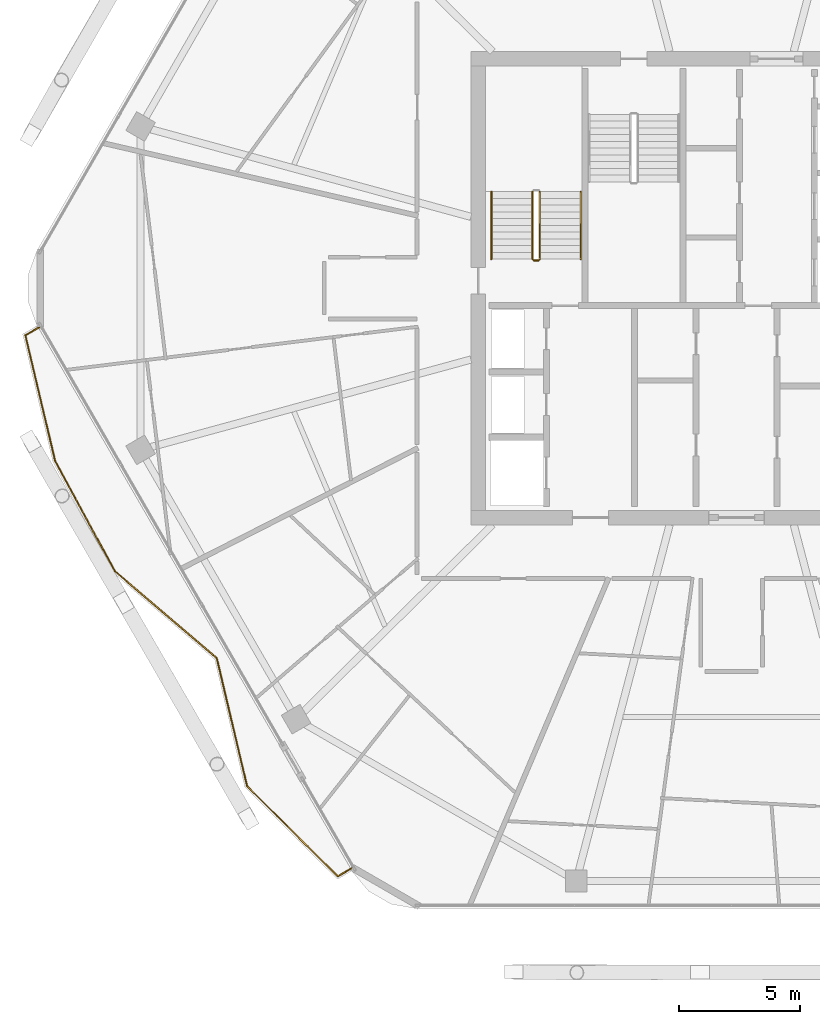
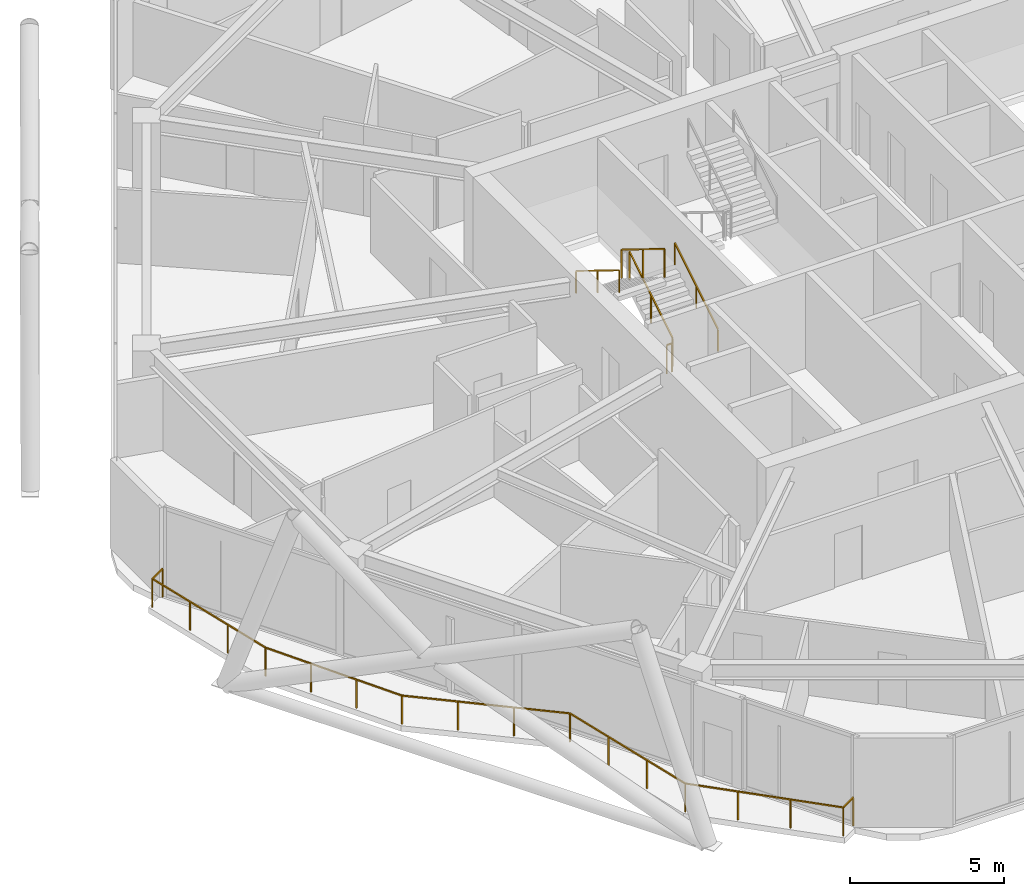
# One storey, part 25 of 27: 6 railings.
"""IFC4 building model written with IfcOpenShell, lengths in metres."""

from ifc_helpers import new_model, si_unit, direction, frame, origin, origin_2d, place, context, subcontext, project, spatial, rectangle, extrude, material, type_object, element, save


model = new_model("IFC4")

# Units and contexts
model_context = context("Model", 3, precision=1e-05, world=origin(), true_north=direction((0.0, 1.0)))
body_context = subcontext(model_context, "Body", "Model", "MODEL_VIEW")
ifc_project = project(units=[si_unit("LENGTHUNIT", "METRE"), si_unit("AREAUNIT", "SQUARE_METRE"), si_unit("VOLUMEUNIT", "CUBIC_METRE"), si_unit("PLANEANGLEUNIT", "RADIAN"), si_unit("MASSUNIT", "GRAM", prefix="KILO")], contexts=[model_context])

# Site, building, storey
site_placement = place(None, origin())
site = spatial("IfcSite", under=ifc_project, at=site_placement, CompositionType="ELEMENT")
building_placement = place(site_placement, origin())
building = spatial("IfcBuilding", under=site, at=building_placement, Name="Zuhravey Tower", CompositionType="ELEMENT")
storey_placement = place(building_placement, frame((0.0, 0.0, 261.60009765625)))
storey = spatial("IfcBuildingStorey", under=building, at=storey_placement, Name="L66", CompositionType="ELEMENT", Elevation=261.60009765625)

# Railings
ifc_material_1 = material(Name="Stainless steel 316 and laminated glass", Category="steel")
railing_type_1 = type_object("IfcRailingType", Name="Balcony & Terrace Guardrail 1150", PredefinedType="BALUSTRADE", material=ifc_material_1)
railing_1_placement = place(storey_placement, frame((20.25830078125, 7.968017578125, 0.0)))
element("IfcRailing", 1, at=railing_1_placement, inside=storey, type_object=railing_type_1, Name="L66 Face 4 Wave Balcony Guardrail GR1", PredefinedType="BALUSTRADE", context=body_context, shape_type="SweptSolid", body=[
    extrude(rectangle(XDim=0.048095703125, YDim=0.048095703125, at=origin_2d()), frame((-0.001708984375, -0.0009765625, 1.1259765625), z_axis=(-0.865946540773, -0.500136569873, 0.0), x_axis=(0.500136569873, -0.865946540773, 0.0)), (0.0, 0.0, 1.0), 0.659423828125),
    extrude(rectangle(XDim=0.048095703125, YDim=0.048095703125, at=origin_2d()), frame((-0.575927734375, -0.330322265625, 1.1259765625), z_axis=(-0.709130753782, 0.705076998661, 0.0), x_axis=(-0.705076998661, -0.709130753782, 0.0)), (0.0, 0.0, 1.0), 5.2958984375),
    extrude(rectangle(XDim=0.048095703125, YDim=0.048095703125, at=origin_2d()), frame((-4.333251953125, 3.406982421875, 1.1259765625), z_axis=(-0.230437360995, 0.973087160874, 0.0), x_axis=(-0.973087160874, -0.230437360995, 0.0)), (0.0, 0.0, 1.0), 5.44580078125),
    extrude(rectangle(XDim=0.048095703125, YDim=0.048095703125, at=origin_2d()), frame((-5.590087890625, 8.70947265625, 1.1259765625), z_axis=(-0.760711266204, 0.649090417022, 0.0), x_axis=(-0.649090417022, -0.760711266204, 0.0)), (0.0, 0.0, 1.0), 5.544921875),
    extrude(rectangle(XDim=0.048095703125, YDim=0.048095703125, at=origin_2d()), frame((-9.810791015625, 12.311767578125, 1.1259765625), z_axis=(-0.476845647848, 0.878987046621, 0.0), x_axis=(-0.878987046621, -0.476845647848, 0.0)), (0.0, 0.0, 1.0), 5.182373046875),
    extrude(rectangle(XDim=0.048095703125, YDim=0.048095703125, at=origin_2d()), frame((-12.283447265625, 16.870849609375, 1.1259765625), z_axis=(-0.23047660277, 0.97307786717, 0.0), x_axis=(-0.97307786717, -0.23047660277, 0.0)), (0.0, 0.0, 1.0), 5.353759765625),
    extrude(rectangle(XDim=0.048095703125, YDim=0.048095703125, at=origin_2d()), frame((-13.51611328125, 22.08349609375, 1.1259765625), z_axis=(0.866045096311, 0.499965889992, 0.0), x_axis=(-0.499965889992, 0.866045096311, 0.0)), (0.0, 0.0, 1.0), 0.66162109375),
    extrude(rectangle(XDim=0.0419921875, YDim=0.0419921875, at=origin_2d()), origin(), (0.0, 0.0, 1.0), 1.099853515625),
    extrude(rectangle(XDim=0.0419921875, YDim=0.0419921875, at=origin_2d()), frame((-0.574462890625, -0.331787109375, 0.0)), (0.0, 0.0, 1.0), 1.099853515625),
    extrude(rectangle(XDim=0.0419921875, YDim=0.0419921875, at=origin_2d()), frame((-1.8271484375, 0.913818359375, 0.0)), (0.0, 0.0, 1.0), 1.099853515625),
    extrude(rectangle(XDim=0.0419921875, YDim=0.0419921875, at=origin_2d()), frame((-3.080078125, 2.159423828125, 0.0)), (0.0, 0.0, 1.0), 1.099853515625),
    extrude(rectangle(XDim=0.0419921875, YDim=0.0419921875, at=origin_2d()), frame((-4.332763671875, 3.405029296875, 0.0)), (0.0, 0.0, 1.0), 1.099853515625),
    extrude(rectangle(XDim=0.0419921875, YDim=0.0419921875, at=origin_2d()), frame((-4.75146484375, 5.1728515625, 0.0)), (0.0, 0.0, 1.0), 1.099853515625),
    extrude(rectangle(XDim=0.0419921875, YDim=0.0419921875, at=origin_2d()), frame((-5.169921875, 6.9404296875, 0.0)), (0.0, 0.0, 1.0), 1.099853515625),
    extrude(rectangle(XDim=0.0419921875, YDim=0.0419921875, at=origin_2d()), frame((-5.588623046875, 8.708251953125, 0.0)), (0.0, 0.0, 1.0), 1.099853515625),
    extrude(rectangle(XDim=0.0419921875, YDim=0.0419921875, at=origin_2d()), frame((-6.99560546875, 9.908935546875, 0.0)), (0.0, 0.0, 1.0), 1.099853515625),
    extrude(rectangle(XDim=0.0419921875, YDim=0.0419921875, at=origin_2d()), frame((-8.40283203125, 11.109375, 0.0)), (0.0, 0.0, 1.0), 1.099853515625),
    extrude(rectangle(XDim=0.0419921875, YDim=0.0419921875, at=origin_2d()), frame((-9.809814453125, 12.31005859375, 0.0)), (0.0, 0.0, 1.0), 1.099853515625),
    extrude(rectangle(XDim=0.0419921875, YDim=0.0419921875, at=origin_2d()), frame((-10.63427734375, 13.82958984375, 0.0)), (0.0, 0.0, 1.0), 1.099853515625),
    extrude(rectangle(XDim=0.0419921875, YDim=0.0419921875, at=origin_2d()), frame((-11.45849609375, 15.349365234375, 0.0)), (0.0, 0.0, 1.0), 1.099853515625),
    extrude(rectangle(XDim=0.0419921875, YDim=0.0419921875, at=origin_2d()), frame((-12.282958984375, 16.868896484375, 0.0)), (0.0, 0.0, 1.0), 1.099853515625),
    extrude(rectangle(XDim=0.0419921875, YDim=0.0419921875, at=origin_2d()), frame((-12.694580078125, 18.606689453125, 0.0)), (0.0, 0.0, 1.0), 1.099853515625),
    extrude(rectangle(XDim=0.0419921875, YDim=0.0419921875, at=origin_2d()), frame((-13.106201171875, 20.3447265625, 0.0)), (0.0, 0.0, 1.0), 1.099853515625),
    extrude(rectangle(XDim=0.0419921875, YDim=0.0419921875, at=origin_2d()), frame((-13.517822265625, 22.08251953125, 0.0)), (0.0, 0.0, 1.0), 1.099853515625),
    extrude(rectangle(XDim=0.0419921875, YDim=0.0419921875, at=origin_2d()), frame((-12.94140625, 22.415283203125, 0.0)), (0.0, 0.0, 1.0), 1.099853515625),
])
ifc_material_2 = material(Name="Brushed stainless steel", Category="steel")
railing_type_2 = type_object("IfcRailingType", Name="Stair Wall Handrail 900", PredefinedType="HANDRAIL", material=ifc_material_2)
railing_2_placement = place(storey_placement, frame((29.75, 33.199951171875, 0.172607421875)))
element("IfcRailing", 2, at=railing_2_placement, inside=storey, type_object=railing_type_2, Name="L66 ST1 stair handrail 1", PredefinedType="HANDRAIL", context=body_context, shape_type="SweptSolid", body=[
    extrude(rectangle(XDim=0.048095703125, YDim=0.048095703125, at=origin_2d()), frame((0.0, 0.001708984375, 0.876953125), z_axis=(0.0, 0.851089632645, 0.525020415988), x_axis=(-1.0, 0.0, 0.0)), (0.0, 0.0, 1.0), 3.285888671875),
    extrude(rectangle(XDim=0.0419921875, YDim=0.0419921875, at=origin_2d()), origin(), (0.0, 0.0, 1.0), 0.849853515625),
    extrude(rectangle(XDim=0.0419921875, YDim=0.0419921875, at=origin_2d()), frame((0.0, 1.39990234375, 0.86376953125)), (0.0, 0.0, 1.0), 0.849853515625),
    extrude(rectangle(XDim=0.0419921875, YDim=0.0419921875, at=origin_2d()), frame((0.0, 2.800048828125, 1.727294921875)), (0.0, 0.0, 1.0), 0.849853515625),
])
railing_3_placement = place(storey_placement, frame((26.050048828125, 36.0, 2.072509765625)))
element("IfcRailing", 3, at=railing_3_placement, inside=storey, type_object=railing_type_2, Name="L66 ST1 stair handrail 2", PredefinedType="HANDRAIL", context=body_context, shape_type="SweptSolid", body=[
    extrude(rectangle(XDim=0.048095703125, YDim=0.048095703125, at=origin_2d()), frame((0.0, -0.001708984375, 0.876953125), z_axis=(0.0, -0.851089632645, 0.525020415988), x_axis=(1.0, 0.0, 0.0)), (0.0, 0.0, 1.0), 3.285888671875),
    extrude(rectangle(XDim=0.0419921875, YDim=0.0419921875, at=origin_2d()), origin(), (0.0, 0.0, 1.0), 0.849853515625),
    extrude(rectangle(XDim=0.0419921875, YDim=0.0419921875, at=origin_2d()), frame((0.0, -1.39990234375, 0.86376953125)), (0.0, 0.0, 1.0), 0.849853515625),
    extrude(rectangle(XDim=0.0419921875, YDim=0.0419921875, at=origin_2d()), frame((0.0, -2.800048828125, 1.727294921875)), (0.0, 0.0, 1.0), 0.849853515625),
])
ifc_material_3 = material(Name="Painted tubular steel", Category="steel")
railing_type_3 = type_object("IfcRailingType", Name="Stair Well Guardrail 1150", PredefinedType="GUARDRAIL", material=ifc_material_3)
railing_4_placement = place(storey_placement, frame((28.050048828125, 33.199951171875, 0.172607421875)))
element("IfcRailing", 4, at=railing_4_placement, inside=storey, type_object=railing_type_3, Name="L66 ST1 stair guard 1", PredefinedType="GUARDRAIL", context=body_context, shape_type="SweptSolid", body=[
    extrude(rectangle(XDim=0.048095703125, YDim=0.048095703125, at=origin_2d()), frame((0.0, 0.001708984375, 1.126953125), z_axis=(0.0, 0.851089632645, 0.525020415988), x_axis=(-1.0, 0.0, 0.0)), (0.0, 0.0, 1.0), 3.285888671875),
    extrude(rectangle(XDim=0.0419921875, YDim=0.0419921875, at=origin_2d()), origin(), (0.0, 0.0, 1.0), 1.099853515625),
    extrude(rectangle(XDim=0.0419921875, YDim=0.0419921875, at=origin_2d()), frame((0.0, 1.39990234375, 0.86376953125)), (0.0, 0.0, 1.0), 1.099853515625),
    extrude(rectangle(XDim=0.0419921875, YDim=0.0419921875, at=origin_2d()), frame((0.0, 2.800048828125, 1.727294921875)), (0.0, 0.0, 1.0), 1.099853515625),
])
railing_5_placement = place(storey_placement, frame((27.75, 36.0, 2.072509765625)))
element("IfcRailing", 5, at=railing_5_placement, inside=storey, type_object=railing_type_3, Name="L66 ST1 stair guard 3", PredefinedType="GUARDRAIL", context=body_context, shape_type="SweptSolid", body=[
    extrude(rectangle(XDim=0.048095703125, YDim=0.048095703125, at=origin_2d()), frame((0.0, -0.001708984375, 1.126953125), z_axis=(0.0, -0.851089632645, 0.525020415988), x_axis=(1.0, 0.0, 0.0)), (0.0, 0.0, 1.0), 3.285888671875),
    extrude(rectangle(XDim=0.0419921875, YDim=0.0419921875, at=origin_2d()), origin(), (0.0, 0.0, 1.0), 1.099853515625),
    extrude(rectangle(XDim=0.0419921875, YDim=0.0419921875, at=origin_2d()), frame((0.0, -1.39990234375, 0.86376953125)), (0.0, 0.0, 1.0), 1.099853515625),
    extrude(rectangle(XDim=0.0419921875, YDim=0.0419921875, at=origin_2d()), frame((0.0, -2.800048828125, 1.727294921875)), (0.0, 0.0, 1.0), 1.099853515625),
])
railing_6_placement = place(storey_placement, frame((28.0, 33.14990234375, 0.0)))
element("IfcRailing", 6, at=railing_6_placement, inside=storey, type_object=railing_type_3, Name="L66 ST1 stair guard 4", PredefinedType="GUARDRAIL", context=body_context, shape_type="SweptSolid", body=[
    extrude(rectangle(XDim=0.048095703125, YDim=0.048095703125, at=origin_2d()), frame((-0.001953125, 0.0, 1.1259765625), z_axis=(-1.0, 0.0, 0.0), x_axis=(0.0, -1.0, 0.0)), (0.0, 0.0, 1.0), 0.196044921875),
    extrude(rectangle(XDim=0.0419921875, YDim=0.0419921875, at=origin_2d()), origin(), (0.0, 0.0, 1.0), 1.099853515625),
    extrude(rectangle(XDim=0.0419921875, YDim=0.0419921875, at=origin_2d()), frame((-0.199951171875, 0.0, 0.0)), (0.0, 0.0, 1.0), 1.099853515625),
])

save(model, "model.ifc")
